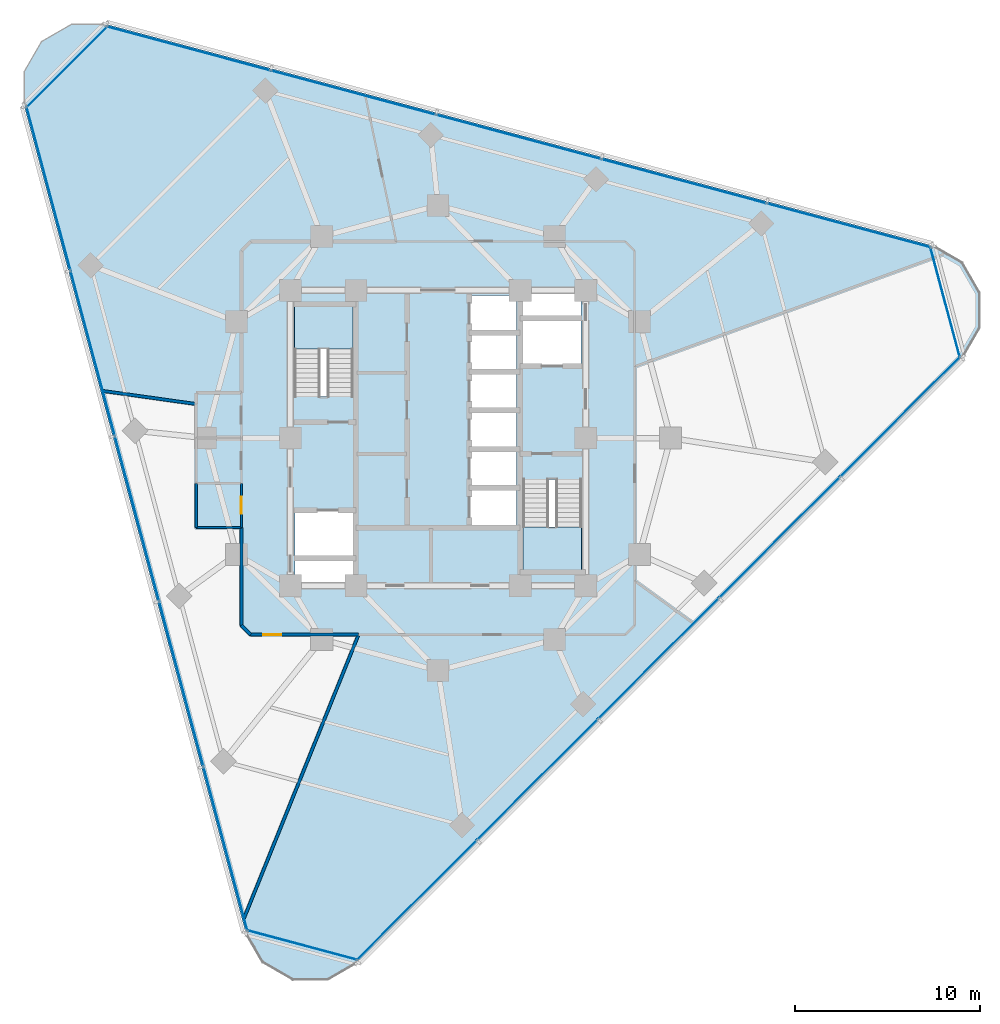
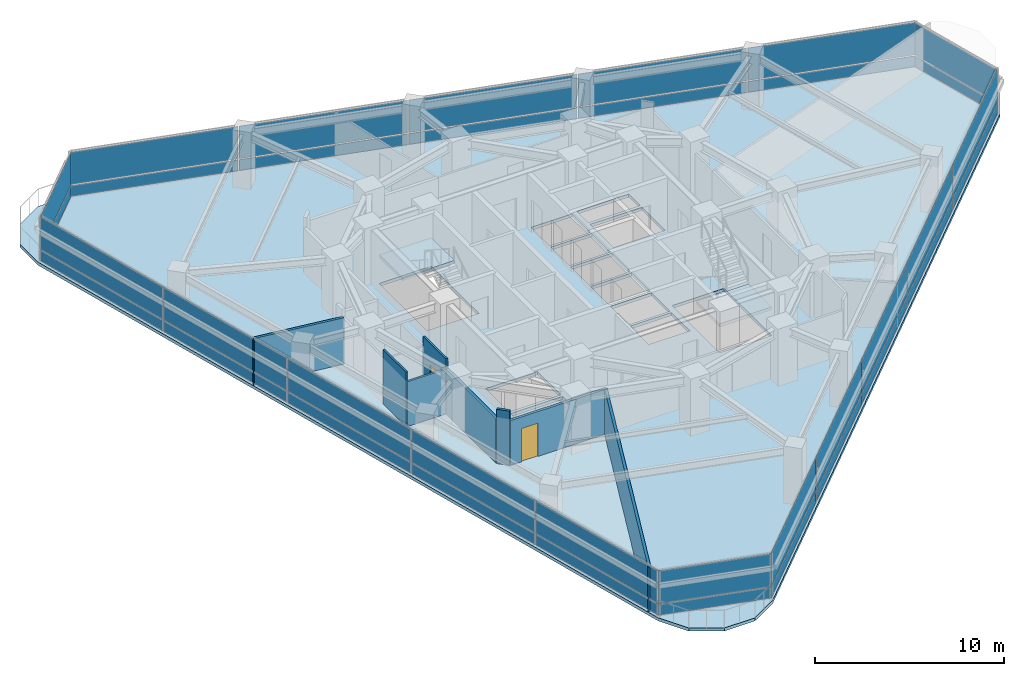
# One storey, part 6 of 13: 36 plates, 8 walls, 3 slabs, 2 doors, 2 openings, 8 elements without a shape of their own.
"""IFC4 building model written with IfcOpenShell, lengths in metres."""

from ifc_helpers import new_model, si_unit, direction, frame, frame_2d, origin, origin_2d, place, context, subcontext, project, spatial, polyline, rectangle, outline, extrude, material, layer, layer_set, type_object, element, fill, aggregate, save


model = new_model("IFC4")

# Units and contexts
model_context = context("Model", 3, precision=1e-05, world=origin(), true_north=direction((0.0, 1.0)))
body_context = subcontext(model_context, "Body", "Model", "MODEL_VIEW")
ifc_project = project(units=[si_unit("LENGTHUNIT", "METRE"), si_unit("AREAUNIT", "SQUARE_METRE"), si_unit("VOLUMEUNIT", "CUBIC_METRE"), si_unit("PLANEANGLEUNIT", "RADIAN"), si_unit("MASSUNIT", "GRAM", prefix="KILO")], contexts=[model_context])

# Site, building, storey
site_placement = place(None, origin())
site = spatial("IfcSite", under=ifc_project, at=site_placement, CompositionType="ELEMENT")
building_placement = place(site_placement, origin())
building = spatial("IfcBuilding", under=site, at=building_placement, Name="Terralouvre Media Tower", CompositionType="ELEMENT")
storey_placement = place(building_placement, frame((0.0, 0.0, 195.300048828125)))
storey = spatial("IfcBuildingStorey", under=building, at=storey_placement, Name="L50", CompositionType="ELEMENT", Elevation=195.300048828125)

# Slab
ifc_material_1 = material(Name="Concrete C40/50", Category="concrete")
ifc_layer_1 = layer(ifc_material_1, 0.199951171875, Name="Composite Tower Floor Slab S-TYP200")
ifc_layer_set_1 = layer_set([ifc_layer_1], Name="Concrete C40/50")
slab_type_1 = type_object("IfcSlabType", Name="Composite Tower Floor Slab S-TYP200", PredefinedType="FLOOR", material=ifc_layer_set_1)
slab_1_placement = place(storey_placement, frame((0.0, 0.0, -0.199951171875), z_axis=(0.0, 0.0, 1.0), x_axis=(0.707106781187, 0.707106781187, 0.0)))
element("IfcSlab", 1, at=slab_1_placement, inside=storey, type_object=slab_type_1, Name="L50 Structural Floor Slab", PredefinedType="FLOOR", context=body_context, shape_type="SweptSolid", body=[
    extrude(outline(polyline([(-26.31494140625, -11.572998046875), (-26.800048828125, -13.383056640625), (-26.31494140625, -15.19287109375), (-24.989990234375, -16.51806640625), (-23.179931640625, -17.0029296875), (23.179931640625, -17.0029296875), (24.989990234375, -16.51806640625), (26.31494140625, -15.19287109375), (26.800048828125, -13.383056640625), (26.31494140625, -11.572998046875), (3.135009765625, 28.575927734375), (1.81005859375, 29.90087890625), (0.0, 30.385986328125), (-1.81005859375, 29.90087890625), (-3.135009765625, 28.575927734375), (-26.31494140625, -11.572998046875)]), holes=[polyline([(-7.919677734375, -1.414306640625), (-8.76806640625, -2.2626953125), (-10.99560546875, -0.035400390625), (-10.14697265625, 0.813232421875), (-7.919677734375, -1.414306640625)]), polyline([(-7.778076171875, -1.272705078125), (-10.005615234375, 0.95458984375), (-8.273193359375, 2.68701171875), (-6.045654296875, 0.459716796875), (-7.778076171875, -1.272705078125)]), polyline([(4.122314453125, -1.887939453125), (2.354736328125, -0.1201171875), (3.7265625, 1.25146484375), (5.494140625, -0.51611328125), (4.122314453125, -1.887939453125)]), polyline([(6.979248046875, 0.96875), (5.607421875, -0.403076171875), (3.839599609375, 1.36474609375), (5.21142578125, 2.736572265625), (6.979248046875, 0.96875)]), polyline([(-1.665283203125, 4.840087890625), (-3.913818359375, 7.0888671875), (-0.36767578125, 10.634765625), (1.880859375, 8.38623046875), (-1.665283203125, 4.840087890625)]), polyline([(7.09228515625, 1.081787109375), (5.324462890625, 2.849609375), (6.6962890625, 4.221435546875), (8.464111328125, 2.45361328125), (7.09228515625, 1.081787109375)]), polyline([(-1.880859375, -8.38623046875), (1.665283203125, -4.840087890625), (3.913818359375, -7.0888671875), (0.36767578125, -10.634765625), (-1.880859375, -8.38623046875)]), polyline([(-0.332275390625, -6.3427734375), (-2.10009765625, -4.574951171875), (-0.728271484375, -3.203125), (1.03955078125, -4.970947265625), (-0.332275390625, -6.3427734375)]), polyline([(1.152587890625, -4.85791015625), (-0.615234375, -3.090087890625), (0.756591796875, -1.71826171875), (2.5244140625, -3.486083984375), (1.152587890625, -4.85791015625)]), polyline([(4.00927734375, -2.001220703125), (2.637451171875, -3.372802734375), (0.86962890625, -1.605224609375), (2.241455078125, -0.2333984375), (4.00927734375, -2.001220703125)]), polyline([(8.273193359375, -2.68701171875), (6.045654296875, -0.459716796875), (7.778076171875, 1.272705078125), (10.005615234375, -0.95458984375), (8.273193359375, -2.68701171875)]), polyline([(10.14697265625, -0.813232421875), (7.919677734375, 1.414306640625), (8.76806640625, 2.2626953125), (10.99560546875, 0.035400390625), (10.14697265625, -0.813232421875)])]), origin(), (0.0, 0.0, 1.0), 0.199951171875),
])

# Stair, slab
ifc_material_2 = material(Name="Concrete C45/55", Category="concrete")
stair_type_1 = type_object("IfcStairType", Name="Dogleg Stair Assembly ST-01", PredefinedType="HALF_TURN_STAIR", material=ifc_material_2)
stair_1_placement = place(storey_placement, origin())
stair_1 = element("IfcStair", 2, at=stair_1_placement, inside=storey, type_object=stair_type_1, Name="L50 Core Pressurised Exit Stair ST-01", PredefinedType="HALF_TURN_STAIR")
ifc_material_3 = material(Name="Concrete C45/55", Category="concrete")
ifc_layer_2 = layer(ifc_material_3, 0.199951171875, Name="Reinforced Concrete Stair Half-Landing SL-LD1")
ifc_layer_set_2 = layer_set([ifc_layer_2], Name="Concrete C45/55")
slab_type_2 = type_object("IfcSlabType", Name="Reinforced Concrete Stair Half-Landing SL-LD1", PredefinedType="LANDING", material=ifc_layer_set_2)
slab_2_placement = place(storey_placement, frame((0.0, 0.0, 1.64990234375)))
slab_2 = element("IfcSlab", 3, at=slab_2_placement, type_object=slab_type_2, Name="ST-01 landing 1", PredefinedType="LANDING", context=body_context, shape_type="SweptSolid", body=[
    extrude(outline(polyline([(-4.60009765625, 4.820068359375), (-4.60009765625, 7.260009765625), (-7.780029296875, 7.260009765625), (-7.780029296875, 4.820068359375), (-4.60009765625, 4.820068359375)])), origin(), (0.0, 0.0, 1.0), 0.199951171875),
])
aggregate(stair_1, [slab_2])

ifc_material_4 = material(Name="Concrete C45/55", Category="concrete")
stair_type_2 = type_object("IfcStairType", Name="Dogleg Stair Assembly ST-02", PredefinedType="HALF_TURN_STAIR", material=ifc_material_4)
stair_2_placement = place(storey_placement, origin())
stair_2 = element("IfcStair", 4, at=stair_2_placement, inside=storey, type_object=stair_type_2, Name="L50 Core Pressurised Exit Stair ST-02", PredefinedType="HALF_TURN_STAIR")
slab_3_placement = place(storey_placement, frame((0.0, 0.0, 1.64990234375)))
slab_3 = element("IfcSlab", 5, at=slab_3_placement, type_object=slab_type_2, Name="ST-02 landing 1", PredefinedType="LANDING", context=body_context, shape_type="SweptSolid", body=[
    extrude(outline(polyline([(4.60009765625, -4.820068359375), (4.60009765625, -7.260009765625), (7.780029296875, -7.260009765625), (7.780029296875, -4.820068359375), (4.60009765625, -4.820068359375)])), origin(), (0.0, 0.0, 1.0), 0.199951171875),
])
aggregate(stair_2, [slab_3])

# Curtain wall, plates
ifc_material_5 = material(Name="Low-iron laminated double glazing with solar-control coating", Category="glass")
ifc_layer_3 = layer(ifc_material_5, 0.1650390625, Name="Rounded Wind-Corner Curved Glazing CW-04")
ifc_layer_set_3 = layer_set([ifc_layer_3], Name="Low-iron laminated double glazing with solar-control coating")
curtain_wall_type_1 = type_object("IfcCurtainWallType", Name="Rounded Wind-Corner Curved Glazing CW-04", PredefinedType="NOTDEFINED", material=ifc_layer_set_3)
curtain_wall_1_placement = place(storey_placement, origin())
curtain_wall_1 = element("IfcCurtainWall", 6, at=curtain_wall_1_placement, inside=storey, type_object=curtain_wall_type_1, Name="L50 Rounded Wind-Corner Curtain Wall C0", PredefinedType="NOTDEFINED")
ifc_material_6 = material(Name="Low-iron laminated double glazing with solar-control coating", Category="glass")
ifc_layer_4 = layer(ifc_material_6, 0.0400390625, Name="Rounded Corner Laminated Vision Panel CWP-03")
ifc_layer_set_4 = layer_set([ifc_layer_4], Name="Low-iron laminated double glazing with solar-control coating")
plate_type_1 = type_object("IfcPlateType", Name="Rounded Corner Laminated Vision Panel CWP-03", PredefinedType="CURTAIN_PANEL", material=ifc_layer_set_4)
plate_1_placement = place(storey_placement, frame((-7.35986328125, -27.467041015625, 0.074951171875), z_axis=(0.0, 0.0, 1.0), x_axis=(0.965925911218, -0.258818728144, 0.0)))
plate_1 = element("IfcPlate", 7, at=plate_1_placement, type_object=plate_type_1, Name="CW-04 panel 1.1", PredefinedType="CURTAIN_PANEL", context=body_context, shape_type="SweptSolid", body=[
    extrude(rectangle(XDim=6.1201171875, YDim=0.035888671875, at=origin_2d()), origin(), (0.0, 0.0, 1.0), 0.6875),
])
plate_2_placement = place(storey_placement, frame((-7.35986328125, -27.467041015625, 0.83740234375), z_axis=(0.0, 0.0, 1.0), x_axis=(0.965925911218, -0.258818728144, 0.0)))
plate_2 = element("IfcPlate", 8, at=plate_2_placement, type_object=plate_type_1, Name="CW-04 panel 1.2", PredefinedType="CURTAIN_PANEL", context=body_context, shape_type="SweptSolid", body=[
    extrude(rectangle(XDim=6.1201171875, YDim=0.035888671875, at=origin_2d()), origin(), (0.0, 0.0, 1.0), 2.08740234375),
])
aggregate(curtain_wall_1, [plate_1, plate_2])

curtain_wall_2_placement = place(storey_placement, origin())
curtain_wall_2 = element("IfcCurtainWall", 9, at=curtain_wall_2_placement, inside=storey, type_object=curtain_wall_type_1, Name="L50 Rounded Wind-Corner Curtain Wall C1", PredefinedType="NOTDEFINED")
plate_3_placement = place(storey_placement, frame((27.467041015625, 7.35986328125, 0.074951171875), z_axis=(0.0, 0.0, 1.0), x_axis=(-0.258818728144, 0.965925911218, 0.0)))
plate_3 = element("IfcPlate", 10, at=plate_3_placement, type_object=plate_type_1, Name="CW-04 panel 1.1", PredefinedType="CURTAIN_PANEL", context=body_context, shape_type="SweptSolid", body=[
    extrude(rectangle(XDim=6.1201171875, YDim=0.035888671875, at=origin_2d()), origin(), (0.0, 0.0, 1.0), 0.6875),
])
plate_4_placement = place(storey_placement, frame((27.467041015625, 7.35986328125, 0.83740234375), z_axis=(0.0, 0.0, 1.0), x_axis=(-0.258818728144, 0.965925911218, 0.0)))
plate_4 = element("IfcPlate", 11, at=plate_4_placement, type_object=plate_type_1, Name="CW-04 panel 1.2", PredefinedType="CURTAIN_PANEL", context=body_context, shape_type="SweptSolid", body=[
    extrude(rectangle(XDim=6.1201171875, YDim=0.035888671875, at=origin_2d()), origin(), (0.0, 0.0, 1.0), 2.08740234375),
])
aggregate(curtain_wall_2, [plate_3, plate_4])

curtain_wall_3_placement = place(storey_placement, origin())
curtain_wall_3 = element("IfcCurtainWall", 12, at=curtain_wall_3_placement, inside=storey, type_object=curtain_wall_type_1, Name="L50 Rounded Wind-Corner Curtain Wall C2", PredefinedType="NOTDEFINED")
plate_5_placement = place(storey_placement, frame((-20.107177734375, 20.107177734375, 0.074951171875), z_axis=(0.0, 0.0, 1.0), x_axis=(-0.707106781187, -0.707106781187, 0.0)))
plate_5 = element("IfcPlate", 13, at=plate_5_placement, type_object=plate_type_1, Name="CW-04 panel 1.1", PredefinedType="CURTAIN_PANEL", context=body_context, shape_type="SweptSolid", body=[
    extrude(rectangle(XDim=6.1201171875, YDim=0.035888671875, at=origin_2d()), origin(), (0.0, 0.0, 1.0), 0.6875),
])
plate_6_placement = place(storey_placement, frame((-20.107177734375, 20.107177734375, 0.83740234375), z_axis=(0.0, 0.0, 1.0), x_axis=(-0.707106781187, -0.707106781187, 0.0)))
plate_6 = element("IfcPlate", 14, at=plate_6_placement, type_object=plate_type_1, Name="CW-04 panel 1.2", PredefinedType="CURTAIN_PANEL", context=body_context, shape_type="SweptSolid", body=[
    extrude(rectangle(XDim=6.1201171875, YDim=0.035888671875, at=origin_2d()), origin(), (0.0, 0.0, 1.0), 2.08740234375),
])
aggregate(curtain_wall_3, [plate_5, plate_6])

ifc_material_7 = material(Name="Low-iron laminated double glazing with solar-control coating", Category="glass")
ifc_layer_5 = layer(ifc_material_7, 0.1650390625, Name="Production Studio Tower Curtain Wall CW-03")
ifc_layer_set_5 = layer_set([ifc_layer_5], Name="Low-iron laminated double glazing with solar-control coating")
curtain_wall_type_2 = type_object("IfcCurtainWallType", Name="Production Studio Tower Curtain Wall CW-03", PredefinedType="NOTDEFINED", material=ifc_layer_set_5)
curtain_wall_4_placement = place(storey_placement, origin())
curtain_wall_4 = element("IfcCurtainWall", 15, at=curtain_wall_4_placement, inside=storey, type_object=curtain_wall_type_2, Name="L50 Facade Curtain Wall F0", PredefinedType="NOTDEFINED")
ifc_material_8 = material(Name="Low-iron laminated double glazing with solar-control coating", Category="glass")
ifc_layer_6 = layer(ifc_material_8, 0.035888671875, Name="Vision Double-Glazed Unit CWP-01")
ifc_layer_set_6 = layer_set([ifc_layer_6], Name="Low-iron laminated double glazing with solar-control coating")
plate_type_2 = type_object("IfcPlateType", Name="Vision Double-Glazed Unit CWP-01", PredefinedType="CURTAIN_PANEL", material=ifc_layer_set_6)
plate_7_placement = place(storey_placement, frame((-1.161376953125, -25.037353515625, 0.074951171875), z_axis=(0.0, 0.0, 1.0), x_axis=(0.707106781187, 0.707106781187, 0.0)))
plate_7 = element("IfcPlate", 16, at=plate_7_placement, type_object=plate_type_2, Name="CW-03 panel 1.1", PredefinedType="CURTAIN_PANEL", context=body_context, shape_type="SweptSolid", body=[
    extrude(rectangle(XDim=9.159423828125, YDim=0.035888671875, at=origin_2d()), origin(), (0.0, 0.0, 1.0), 0.6875),
])
plate_8_placement = place(storey_placement, frame((-1.161376953125, -25.037353515625, 0.83740234375), z_axis=(0.0, 0.0, 1.0), x_axis=(0.707106781187, 0.707106781187, 0.0)))
plate_8 = element("IfcPlate", 17, at=plate_8_placement, type_object=plate_type_2, Name="CW-03 panel 1.2", PredefinedType="CURTAIN_PANEL", context=body_context, shape_type="SweptSolid", body=[
    extrude(rectangle(XDim=9.159423828125, YDim=0.035888671875, at=origin_2d()), origin(), (0.0, 0.0, 1.0), 2.08740234375),
])
plate_9_placement = place(storey_placement, frame((5.3818359375, -18.494384765625, 0.074951171875), z_axis=(0.0, 0.0, 1.0), x_axis=(0.707106781187, 0.707106781187, 0.0)))
plate_9 = element("IfcPlate", 18, at=plate_9_placement, type_object=plate_type_2, Name="CW-03 panel 2.1", PredefinedType="CURTAIN_PANEL", context=body_context, shape_type="SweptSolid", body=[
    extrude(rectangle(XDim=9.197021484375, YDim=0.035888671875, at=origin_2d()), origin(), (0.0, 0.0, 1.0), 0.6875),
])
plate_10_placement = place(storey_placement, frame((5.3818359375, -18.494384765625, 0.83740234375), z_axis=(0.0, 0.0, 1.0), x_axis=(0.707106781187, 0.707106781187, 0.0)))
plate_10 = element("IfcPlate", 19, at=plate_10_placement, type_object=plate_type_2, Name="CW-03 panel 2.2", PredefinedType="CURTAIN_PANEL", context=body_context, shape_type="SweptSolid", body=[
    extrude(rectangle(XDim=9.197021484375, YDim=0.035888671875, at=origin_2d()), origin(), (0.0, 0.0, 1.0), 2.08740234375),
])
plate_11_placement = place(storey_placement, frame((11.93798828125, -11.93798828125, 0.074951171875), z_axis=(0.0, 0.0, 1.0), x_axis=(0.707106781187, 0.707106781187, 0.0)))
plate_11 = element("IfcPlate", 20, at=plate_11_placement, type_object=plate_type_2, Name="CW-03 panel 3.1", PredefinedType="CURTAIN_PANEL", context=body_context, shape_type="SweptSolid", body=[
    extrude(rectangle(XDim=9.197021484375, YDim=0.035888671875, at=origin_2d()), origin(), (0.0, 0.0, 1.0), 0.6875),
])
plate_12_placement = place(storey_placement, frame((11.93798828125, -11.93798828125, 0.83740234375), z_axis=(0.0, 0.0, 1.0), x_axis=(0.707106781187, 0.707106781187, 0.0)))
plate_12 = element("IfcPlate", 21, at=plate_12_placement, type_object=plate_type_2, Name="CW-03 panel 3.2", PredefinedType="CURTAIN_PANEL", context=body_context, shape_type="SweptSolid", body=[
    extrude(rectangle(XDim=9.197021484375, YDim=0.035888671875, at=origin_2d()), origin(), (0.0, 0.0, 1.0), 2.08740234375),
])
plate_13_placement = place(storey_placement, frame((18.494384765625, -5.3818359375, 0.074951171875), z_axis=(0.0, 0.0, 1.0), x_axis=(0.707106781187, 0.707106781187, 0.0)))
plate_13 = element("IfcPlate", 22, at=plate_13_placement, type_object=plate_type_2, Name="CW-03 panel 4.1", PredefinedType="CURTAIN_PANEL", context=body_context, shape_type="SweptSolid", body=[
    extrude(rectangle(XDim=9.197021484375, YDim=0.035888671875, at=origin_2d()), origin(), (0.0, 0.0, 1.0), 0.6875),
])
plate_14_placement = place(storey_placement, frame((18.494384765625, -5.3818359375, 0.83740234375), z_axis=(0.0, 0.0, 1.0), x_axis=(0.707106781187, 0.707106781187, 0.0)))
plate_14 = element("IfcPlate", 23, at=plate_14_placement, type_object=plate_type_2, Name="CW-03 panel 4.2", PredefinedType="CURTAIN_PANEL", context=body_context, shape_type="SweptSolid", body=[
    extrude(rectangle(XDim=9.197021484375, YDim=0.035888671875, at=origin_2d()), origin(), (0.0, 0.0, 1.0), 2.08740234375),
])
plate_15_placement = place(storey_placement, frame((25.037353515625, 1.161376953125, 0.074951171875), z_axis=(0.0, 0.0, 1.0), x_axis=(0.707106781187, 0.707106781187, 0.0)))
plate_15 = element("IfcPlate", 24, at=plate_15_placement, type_object=plate_type_2, Name="CW-03 panel 5.1", PredefinedType="CURTAIN_PANEL", context=body_context, shape_type="SweptSolid", body=[
    extrude(rectangle(XDim=9.159423828125, YDim=0.035888671875, at=origin_2d()), origin(), (0.0, 0.0, 1.0), 0.6875),
])
plate_16_placement = place(storey_placement, frame((25.037353515625, 1.161376953125, 0.83740234375), z_axis=(0.0, 0.0, 1.0), x_axis=(0.707106781187, 0.707106781187, 0.0)))
plate_16 = element("IfcPlate", 25, at=plate_16_placement, type_object=plate_type_2, Name="CW-03 panel 5.2", PredefinedType="CURTAIN_PANEL", context=body_context, shape_type="SweptSolid", body=[
    extrude(rectangle(XDim=9.159423828125, YDim=0.035888671875, at=origin_2d()), origin(), (0.0, 0.0, 1.0), 2.08740234375),
])
aggregate(curtain_wall_4, [plate_7, plate_8, plate_9, plate_10, plate_11, plate_12, plate_13, plate_14, plate_15, plate_16])

curtain_wall_5_placement = place(storey_placement, origin())
curtain_wall_5 = element("IfcCurtainWall", 26, at=curtain_wall_5_placement, inside=storey, type_object=curtain_wall_type_2, Name="L50 Facade Curtain Wall F1", PredefinedType="NOTDEFINED")
plate_17_placement = place(storey_placement, frame((22.263671875, 11.512939453125, 0.074951171875), z_axis=(0.0, 0.0, 1.0), x_axis=(-0.96592582942, 0.25881903342, 0.0)))
plate_17 = element("IfcPlate", 27, at=plate_17_placement, type_object=plate_type_2, Name="CW-03 panel 1.1", PredefinedType="CURTAIN_PANEL", context=body_context, shape_type="SweptSolid", body=[
    extrude(rectangle(XDim=9.159423828125, YDim=0.035888671875, at=origin_2d()), origin(), (0.0, 0.0, 1.0), 0.6875),
])
plate_18_placement = place(storey_placement, frame((22.263671875, 11.512939453125, 0.83740234375), z_axis=(0.0, 0.0, 1.0), x_axis=(-0.96592582942, 0.25881903342, 0.0)))
plate_18 = element("IfcPlate", 28, at=plate_18_placement, type_object=plate_type_2, Name="CW-03 panel 1.2", PredefinedType="CURTAIN_PANEL", context=body_context, shape_type="SweptSolid", body=[
    extrude(rectangle(XDim=9.159423828125, YDim=0.035888671875, at=origin_2d()), origin(), (0.0, 0.0, 1.0), 2.08740234375),
])
plate_19_placement = place(storey_placement, frame((13.32568359375, 13.907958984375, 0.074951171875), z_axis=(0.0, 0.0, 1.0), x_axis=(-0.96592582942, 0.25881903342, 0.0)))
plate_19 = element("IfcPlate", 29, at=plate_19_placement, type_object=plate_type_2, Name="CW-03 panel 2.1", PredefinedType="CURTAIN_PANEL", context=body_context, shape_type="SweptSolid", body=[
    extrude(rectangle(XDim=9.197021484375, YDim=0.035888671875, at=origin_2d()), origin(), (0.0, 0.0, 1.0), 0.6875),
])
plate_20_placement = place(storey_placement, frame((13.32568359375, 13.907958984375, 0.83740234375), z_axis=(0.0, 0.0, 1.0), x_axis=(-0.96592582942, 0.25881903342, 0.0)))
plate_20 = element("IfcPlate", 30, at=plate_20_placement, type_object=plate_type_2, Name="CW-03 panel 2.2", PredefinedType="CURTAIN_PANEL", context=body_context, shape_type="SweptSolid", body=[
    extrude(rectangle(XDim=9.197021484375, YDim=0.035888671875, at=origin_2d()), origin(), (0.0, 0.0, 1.0), 2.08740234375),
])
plate_21_placement = place(storey_placement, frame((4.36962890625, 16.3076171875, 0.074951171875), z_axis=(0.0, 0.0, 1.0), x_axis=(-0.96592582942, 0.25881903342, 0.0)))
plate_21 = element("IfcPlate", 31, at=plate_21_placement, type_object=plate_type_2, Name="CW-03 panel 3.1", PredefinedType="CURTAIN_PANEL", context=body_context, shape_type="SweptSolid", body=[
    extrude(rectangle(XDim=9.197021484375, YDim=0.035888671875, at=origin_2d()), origin(), (0.0, 0.0, 1.0), 0.6875),
])
plate_22_placement = place(storey_placement, frame((4.36962890625, 16.3076171875, 0.83740234375), z_axis=(0.0, 0.0, 1.0), x_axis=(-0.96592582942, 0.25881903342, 0.0)))
plate_22 = element("IfcPlate", 32, at=plate_22_placement, type_object=plate_type_2, Name="CW-03 panel 3.2", PredefinedType="CURTAIN_PANEL", context=body_context, shape_type="SweptSolid", body=[
    extrude(rectangle(XDim=9.197021484375, YDim=0.035888671875, at=origin_2d()), origin(), (0.0, 0.0, 1.0), 2.08740234375),
])
plate_23_placement = place(storey_placement, frame((-4.58642578125, 18.70751953125, 0.074951171875), z_axis=(0.0, 0.0, 1.0), x_axis=(-0.96592582942, 0.25881903342, 0.0)))
plate_23 = element("IfcPlate", 33, at=plate_23_placement, type_object=plate_type_2, Name="CW-03 panel 4.1", PredefinedType="CURTAIN_PANEL", context=body_context, shape_type="SweptSolid", body=[
    extrude(rectangle(XDim=9.197021484375, YDim=0.035888671875, at=origin_2d()), origin(), (0.0, 0.0, 1.0), 0.6875),
])
plate_24_placement = place(storey_placement, frame((-4.58642578125, 18.70751953125, 0.83740234375), z_axis=(0.0, 0.0, 1.0), x_axis=(-0.96592582942, 0.25881903342, 0.0)))
plate_24 = element("IfcPlate", 34, at=plate_24_placement, type_object=plate_type_2, Name="CW-03 panel 4.2", PredefinedType="CURTAIN_PANEL", context=body_context, shape_type="SweptSolid", body=[
    extrude(rectangle(XDim=9.197021484375, YDim=0.035888671875, at=origin_2d()), origin(), (0.0, 0.0, 1.0), 2.08740234375),
])
plate_25_placement = place(storey_placement, frame((-13.5244140625, 21.102294921875, 0.074951171875), z_axis=(0.0, 0.0, 1.0), x_axis=(-0.96592582942, 0.25881903342, 0.0)))
plate_25 = element("IfcPlate", 35, at=plate_25_placement, type_object=plate_type_2, Name="CW-03 panel 5.1", PredefinedType="CURTAIN_PANEL", context=body_context, shape_type="SweptSolid", body=[
    extrude(rectangle(XDim=9.159423828125, YDim=0.035888671875, at=origin_2d()), origin(), (0.0, 0.0, 1.0), 0.6875),
])
plate_26_placement = place(storey_placement, frame((-13.5244140625, 21.102294921875, 0.83740234375), z_axis=(0.0, 0.0, 1.0), x_axis=(-0.96592582942, 0.25881903342, 0.0)))
plate_26 = element("IfcPlate", 36, at=plate_26_placement, type_object=plate_type_2, Name="CW-03 panel 5.2", PredefinedType="CURTAIN_PANEL", context=body_context, shape_type="SweptSolid", body=[
    extrude(rectangle(XDim=9.159423828125, YDim=0.035888671875, at=origin_2d()), origin(), (0.0, 0.0, 1.0), 2.08740234375),
])
aggregate(curtain_wall_5, [plate_17, plate_18, plate_19, plate_20, plate_21, plate_22, plate_23, plate_24, plate_25, plate_26])

curtain_wall_6_placement = place(storey_placement, origin())
curtain_wall_6 = element("IfcCurtainWall", 37, at=curtain_wall_6_placement, inside=storey, type_object=curtain_wall_type_2, Name="L50 Facade Curtain Wall F2", PredefinedType="NOTDEFINED")
plate_27_placement = place(storey_placement, frame((-21.102294921875, 13.5244140625, 0.074951171875), z_axis=(0.0, 0.0, 1.0), x_axis=(0.25881903342, -0.96592582942, 0.0)))
plate_27 = element("IfcPlate", 38, at=plate_27_placement, type_object=plate_type_2, Name="CW-03 panel 1.1", PredefinedType="CURTAIN_PANEL", context=body_context, shape_type="SweptSolid", body=[
    extrude(rectangle(XDim=9.159423828125, YDim=0.035888671875, at=origin_2d()), origin(), (0.0, 0.0, 1.0), 0.6875),
])
plate_28_placement = place(storey_placement, frame((-21.102294921875, 13.5244140625, 0.83740234375), z_axis=(0.0, 0.0, 1.0), x_axis=(0.25881903342, -0.96592582942, 0.0)))
plate_28 = element("IfcPlate", 39, at=plate_28_placement, type_object=plate_type_2, Name="CW-03 panel 1.2", PredefinedType="CURTAIN_PANEL", context=body_context, shape_type="SweptSolid", body=[
    extrude(rectangle(XDim=9.159423828125, YDim=0.035888671875, at=origin_2d()), origin(), (0.0, 0.0, 1.0), 2.08740234375),
])
plate_29_placement = place(storey_placement, frame((-18.70751953125, 4.58642578125, 0.074951171875), z_axis=(0.0, 0.0, 1.0), x_axis=(0.25881903342, -0.96592582942, 0.0)))
plate_29 = element("IfcPlate", 40, at=plate_29_placement, type_object=plate_type_2, Name="CW-03 panel 2.1", PredefinedType="CURTAIN_PANEL", context=body_context, shape_type="SweptSolid", body=[
    extrude(rectangle(XDim=9.197021484375, YDim=0.035888671875, at=origin_2d()), origin(), (0.0, 0.0, 1.0), 0.6875),
])
plate_30_placement = place(storey_placement, frame((-18.70751953125, 4.58642578125, 0.83740234375), z_axis=(0.0, 0.0, 1.0), x_axis=(0.25881903342, -0.96592582942, 0.0)))
plate_30 = element("IfcPlate", 41, at=plate_30_placement, type_object=plate_type_2, Name="CW-03 panel 2.2", PredefinedType="CURTAIN_PANEL", context=body_context, shape_type="SweptSolid", body=[
    extrude(rectangle(XDim=9.197021484375, YDim=0.035888671875, at=origin_2d()), origin(), (0.0, 0.0, 1.0), 2.08740234375),
])
plate_31_placement = place(storey_placement, frame((-16.3076171875, -4.36962890625, 0.074951171875), z_axis=(0.0, 0.0, 1.0), x_axis=(0.25881903342, -0.96592582942, 0.0)))
plate_31 = element("IfcPlate", 42, at=plate_31_placement, type_object=plate_type_2, Name="CW-03 panel 3.1", PredefinedType="CURTAIN_PANEL", context=body_context, shape_type="SweptSolid", body=[
    extrude(rectangle(XDim=9.197021484375, YDim=0.035888671875, at=origin_2d()), origin(), (0.0, 0.0, 1.0), 0.6875),
])
plate_32_placement = place(storey_placement, frame((-16.3076171875, -4.36962890625, 0.83740234375), z_axis=(0.0, 0.0, 1.0), x_axis=(0.25881903342, -0.96592582942, 0.0)))
plate_32 = element("IfcPlate", 43, at=plate_32_placement, type_object=plate_type_2, Name="CW-03 panel 3.2", PredefinedType="CURTAIN_PANEL", context=body_context, shape_type="SweptSolid", body=[
    extrude(rectangle(XDim=9.197021484375, YDim=0.035888671875, at=origin_2d()), origin(), (0.0, 0.0, 1.0), 2.08740234375),
])
plate_33_placement = place(storey_placement, frame((-13.907958984375, -13.32568359375, 0.074951171875), z_axis=(0.0, 0.0, 1.0), x_axis=(0.25881903342, -0.96592582942, 0.0)))
plate_33 = element("IfcPlate", 44, at=plate_33_placement, type_object=plate_type_2, Name="CW-03 panel 4.1", PredefinedType="CURTAIN_PANEL", context=body_context, shape_type="SweptSolid", body=[
    extrude(rectangle(XDim=9.197021484375, YDim=0.035888671875, at=origin_2d()), origin(), (0.0, 0.0, 1.0), 0.6875),
])
plate_34_placement = place(storey_placement, frame((-13.907958984375, -13.32568359375, 0.83740234375), z_axis=(0.0, 0.0, 1.0), x_axis=(0.25881903342, -0.96592582942, 0.0)))
plate_34 = element("IfcPlate", 45, at=plate_34_placement, type_object=plate_type_2, Name="CW-03 panel 4.2", PredefinedType="CURTAIN_PANEL", context=body_context, shape_type="SweptSolid", body=[
    extrude(rectangle(XDim=9.197021484375, YDim=0.035888671875, at=origin_2d()), origin(), (0.0, 0.0, 1.0), 2.08740234375),
])
plate_35_placement = place(storey_placement, frame((-11.512939453125, -22.263671875, 0.074951171875), z_axis=(0.0, 0.0, 1.0), x_axis=(0.25881903342, -0.96592582942, 0.0)))
plate_35 = element("IfcPlate", 46, at=plate_35_placement, type_object=plate_type_2, Name="CW-03 panel 5.1", PredefinedType="CURTAIN_PANEL", context=body_context, shape_type="SweptSolid", body=[
    extrude(rectangle(XDim=9.159423828125, YDim=0.035888671875, at=origin_2d()), origin(), (0.0, 0.0, 1.0), 0.6875),
])
plate_36_placement = place(storey_placement, frame((-11.512939453125, -22.263671875, 0.83740234375), z_axis=(0.0, 0.0, 1.0), x_axis=(0.25881903342, -0.96592582942, 0.0)))
plate_36 = element("IfcPlate", 47, at=plate_36_placement, type_object=plate_type_2, Name="CW-03 panel 5.2", PredefinedType="CURTAIN_PANEL", context=body_context, shape_type="SweptSolid", body=[
    extrude(rectangle(XDim=9.159423828125, YDim=0.035888671875, at=origin_2d()), origin(), (0.0, 0.0, 1.0), 2.08740234375),
])
aggregate(curtain_wall_6, [plate_27, plate_28, plate_29, plate_30, plate_31, plate_32, plate_33, plate_34, plate_35, plate_36])

# Wall, opening, door
ifc_material_9 = material(Name="Fire-rated gypsum board drywall partition")
ifc_layer_7 = layer(ifc_material_9, 0.114990234375, Name="Restroom and Pantry Partition PT-115")
ifc_layer_set_7 = layer_set([ifc_layer_7], Name="Fire-rated gypsum board drywall partition")
wall_type_1 = type_object("IfcWallType", Name="Restroom and Pantry Partition PT-115", PredefinedType="PARTITIONING", material=ifc_layer_set_7)
wall_1_placement = place(storey_placement, frame((-10.64990234375, -2.449951171875, 0.0), z_axis=(0.0, 0.0, 1.0), x_axis=(0.0, -1.0, 0.0)))
wall_1 = element("IfcWall", 48, at=wall_1_placement, inside=storey, type_object=wall_type_1, Name="L50 Interior Partition 002", PredefinedType="PARTITIONING", context=body_context, shape_type="SweptSolid", body=[
    extrude(rectangle(XDim=2.400146484375, YDim=0.114990234375, at=frame_2d((1.2001953125, 0.0))), origin(), (0.0, 0.0, 1.0), 3.5),
])
opening_1_placement = place(wall_1_placement, frame((0.739990234375, 0.0, 0.0)))
opening_1 = element("IfcOpeningElement", 49, at=opening_1_placement, cuts=wall_1, Name="Opening ID-03-92X210", PredefinedType="OPENING", context=body_context, shape_type="SweptSolid", body=[
    extrude(rectangle(XDim=0.919921875, YDim=2.10009765625, at=frame_2d((0.4599609375, 1.050048828125))), frame((0.0, 0.0673828125, 0.0), z_axis=(0.0, -1.0, 0.0), x_axis=(1.0, 0.0, 0.0)), (0.0, 0.0, 1.0), 0.135009765625),
])
ifc_material_10 = material(Name="Engineered hardwood acoustic timber leaf", Category="wood")
door_type_1 = type_object("IfcDoorType", Name="Accessible Restroom and Suite Door ID-03 (920x2100)", OperationType="NOTDEFINED", PredefinedType="DOOR", material=ifc_material_10)
door_1_placement = place(opening_1_placement, origin())
door_1 = element("IfcDoor", 50, at=door_1_placement, inside=storey, type_object=door_type_1, Name="L50 Male Restroom WC Door", OperationType="SINGLE_SWING_LEFT", OverallHeight=2.10009765625, OverallWidth=0.919921875, PredefinedType="DOOR", context=body_context, shape_type="SweptSolid", body=[
    extrude(rectangle(XDim=0.919921875, YDim=2.10009765625, at=frame_2d((0.4599609375, 1.050048828125))), frame((0.0, 0.02490234375, 0.0), z_axis=(0.0, -1.0, 0.0), x_axis=(1.0, 0.0, 0.0)), (0.0, 0.0, 1.0), 0.050048828125),
])
fill(opening_1, door_1)

# Walls
wall_2_placement = place(storey_placement, frame((-13.10009765625, -2.449951171875, 0.0), z_axis=(0.0, 0.0, 1.0), x_axis=(0.0, -1.0, 0.0)))
element("IfcWall", 51, at=wall_2_placement, inside=storey, type_object=wall_type_1, Name="L50 Interior Partition 020", PredefinedType="PARTITIONING", context=body_context, shape_type="SweptSolid", body=[
    extrude(rectangle(XDim=2.400146484375, YDim=0.114990234375, at=frame_2d((1.2001953125, 0.0))), origin(), (0.0, 0.0, 1.0), 3.5),
])
wall_3_placement = place(storey_placement, frame((-13.10009765625, -4.85009765625, 0.0), z_axis=(0.0, 0.0, 1.0), x_axis=(1.0, 0.0, 0.0)))
element("IfcWall", 52, at=wall_3_placement, inside=storey, type_object=wall_type_1, Name="L50 Interior Partition 021", PredefinedType="PARTITIONING", context=body_context, shape_type="SweptSolid", body=[
    extrude(rectangle(XDim=2.4501953125, YDim=0.114990234375, at=frame_2d((1.22509765625, 0.0))), origin(), (0.0, 0.0, 1.0), 2.885009765625),
])
ifc_material_11 = material(Name="Fire-rated gypsum board drywall partition")
ifc_layer_8 = layer(ifc_material_11, 0.159912109375, Name="Studio Acoustic Rated Partition PT-160")
ifc_layer_set_8 = layer_set([ifc_layer_8], Name="Fire-rated gypsum board drywall partition")
wall_type_2 = type_object("IfcWallType", Name="Studio Acoustic Rated Partition PT-160", PredefinedType="PARTITIONING", material=ifc_layer_set_8)
wall_4_placement = place(storey_placement, frame((-10.64990234375, -4.85009765625, 0.0), z_axis=(0.0, 0.0, 1.0), x_axis=(0.0, -1.0, 0.0)))
element("IfcWall", 53, at=wall_4_placement, inside=storey, type_object=wall_type_2, Name="L50 Interior Partition 003", PredefinedType="PARTITIONING", context=body_context, shape_type="SweptSolid", body=[
    extrude(rectangle(XDim=5.2998046875, YDim=0.159912109375, at=frame_2d((2.64990234375, 0.0))), origin(), (0.0, 0.0, 1.0), 2.885009765625),
])
wall_5_placement = place(storey_placement, frame((-10.64990234375, -10.14990234375, 0.0), z_axis=(0.0, 0.0, 1.0), x_axis=(0.707106781187, -0.707106781187, 0.0)))
element("IfcWall", 54, at=wall_5_placement, inside=storey, type_object=wall_type_2, Name="L50 Interior Partition 004", PredefinedType="PARTITIONING", context=body_context, shape_type="SweptSolid", body=[
    extrude(rectangle(XDim=0.70703125, YDim=0.159912109375, at=frame_2d((0.353515625, 0.0))), origin(), (0.0, 0.0, 1.0), 3.5),
])

# Wall, opening, door
wall_6_placement = place(storey_placement, frame((-10.14990234375, -10.64990234375, 0.0), z_axis=(0.0, 0.0, 1.0), x_axis=(1.0, 0.0, 0.0)))
wall_6 = element("IfcWall", 55, at=wall_6_placement, inside=storey, type_object=wall_type_2, Name="L50 Interior Partition 005", PredefinedType="PARTITIONING", context=body_context, shape_type="SweptSolid", body=[
    extrude(rectangle(XDim=5.846923828125, YDim=0.159912109375, at=frame_2d((2.92333984375, 0.0))), origin(), (0.0, 0.0, 1.0), 2.885009765625),
])
opening_2_placement = place(wall_6_placement, frame((0.66943359375, 0.0, 0.0)))
opening_2 = element("IfcOpeningElement", 56, at=opening_2_placement, cuts=wall_6, Name="Opening ID-01-100X215", PredefinedType="OPENING", context=body_context, shape_type="SweptSolid", body=[
    extrude(rectangle(XDim=1.0, YDim=2.14990234375, at=frame_2d((0.5, 1.074951171875))), frame((0.0, 0.08984375, 0.0), z_axis=(0.0, -1.0, 0.0), x_axis=(1.0, 0.0, 0.0)), (0.0, 0.0, 1.0), 0.179931640625),
])
ifc_material_12 = material(Name="Engineered hardwood acoustic timber leaf", Category="wood")
door_type_2 = type_object("IfcDoorType", Name="Broadcast Studio Acoustic Single Door ID-01 (1000x2150)", OperationType="NOTDEFINED", PredefinedType="DOOR", material=ifc_material_12)
door_2_placement = place(opening_2_placement, origin())
door_2 = element("IfcDoor", 57, at=door_2_placement, inside=storey, type_object=door_type_2, Name="L50 Simultaneous Translation Control Room 1 Door", OperationType="SINGLE_SWING_RIGHT", OverallHeight=2.14990234375, OverallWidth=1.0, PredefinedType="DOOR", context=body_context, shape_type="SweptSolid", body=[
    extrude(rectangle(XDim=1.0, YDim=2.14990234375, at=frame_2d((0.5, 1.074951171875))), frame((0.0, 0.02490234375, 0.0), z_axis=(0.0, -1.0, 0.0), x_axis=(1.0, 0.0, 0.0)), (0.0, 0.0, 1.0), 0.050048828125),
])
fill(opening_2, door_2)

# Walls
wall_7_placement = place(storey_placement, frame((-10.53369140625, -26.072509765625, 0.0), z_axis=(0.0, 0.0, 1.0), x_axis=(0.374584629334, 0.927192728329, 0.0)))
element("IfcWall", 58, at=wall_7_placement, inside=storey, type_object=wall_type_2, Name="L50 Interior Partition 022", PredefinedType="PARTITIONING", context=body_context, shape_type="SweptSolid", body=[
    extrude(rectangle(XDim=16.633544921875, YDim=0.159912109375, at=frame_2d((8.31689453125, 0.0))), origin(), (0.0, 0.0, 1.0), 2.885009765625),
])
wall_8_placement = place(storey_placement, frame((-13.10009765625, 1.841064453125, 0.0), z_axis=(0.0, 0.0, 1.0), x_axis=(-0.990254946284, 0.139266440179, 0.0)))
element("IfcWall", 59, at=wall_8_placement, inside=storey, type_object=wall_type_2, Name="L50 Interior Partition 023", PredefinedType="PARTITIONING", context=body_context, shape_type="SweptSolid", body=[
    extrude(rectangle(XDim=5.15576171875, YDim=0.159912109375, at=frame_2d((2.577880859375, 0.0))), origin(), (0.0, 0.0, 1.0), 2.98486328125),
])

save(model, "model.ifc")
